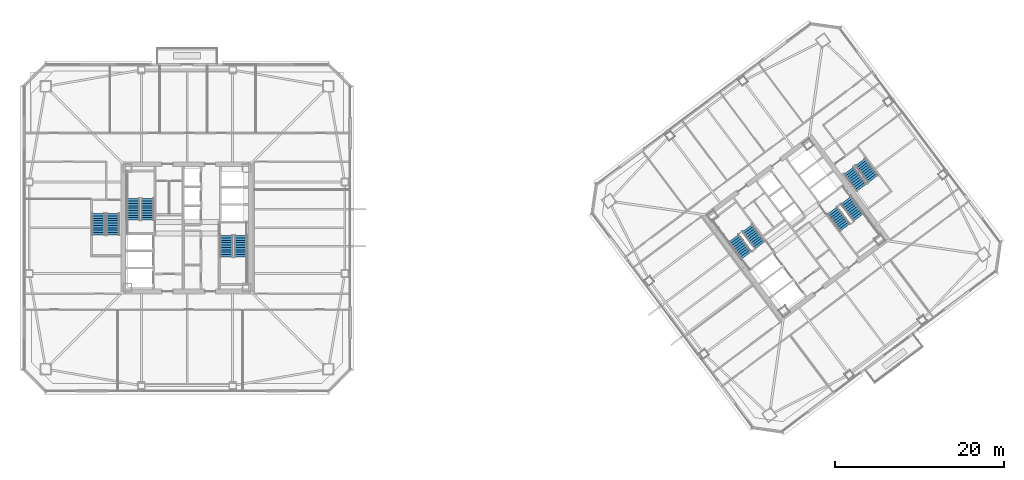
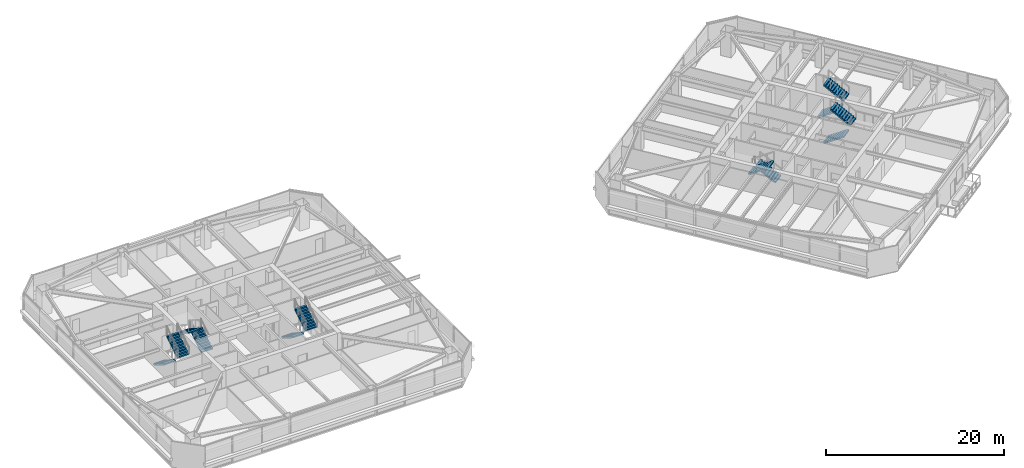
# One storey, part 41 of 46: 12 stair flights, 6 elements without a shape of their own.
"""IFC4 building model written with IfcOpenShell, lengths in metres."""

from ifc_helpers import new_model, si_unit, direction, frame, origin, place, context, subcontext, project, spatial, polyline, outline, extrude, material, type_object, element, aggregate, save


model = new_model("IFC4")

# Units and contexts
model_context = context("Model", 3, precision=1e-05, world=origin(), true_north=direction((0.0, 1.0)))
body_context = subcontext(model_context, "Body", "Model", "MODEL_VIEW")
ifc_project = project(units=[si_unit("LENGTHUNIT", "METRE"), si_unit("AREAUNIT", "SQUARE_METRE"), si_unit("VOLUMEUNIT", "CUBIC_METRE"), si_unit("PLANEANGLEUNIT", "RADIAN"), si_unit("MASSUNIT", "GRAM", prefix="KILO")], contexts=[model_context])

# Site, building, storey
site_placement = place(None, origin())
site = spatial("IfcSite", under=ifc_project, at=site_placement, CompositionType="ELEMENT")
building_placement = place(site_placement, origin())
building = spatial("IfcBuilding", under=site, at=building_placement, Name="Tashvorn Skyway Center", CompositionType="ELEMENT")
storey_placement = place(building_placement, frame((0.0, 0.0, 139.25)))
storey = spatial("IfcBuildingStorey", under=building, at=storey_placement, Name="L37", CompositionType="ELEMENT", Elevation=139.25)

# Stair, stair flights
ifc_material = material(Name="Concrete C40/50", Category="concrete")
stair_type = type_object("IfcStairType", Name="STAIR-CORE-1500", PredefinedType="HALF_TURN_STAIR", material=ifc_material)
stair_1_placement = place(storey_placement, origin())
stair_1 = element("IfcStair", 1, at=stair_1_placement, inside=storey, type_object=stair_type, Name="L37 Tower 1 Exit Stair 1", PredefinedType="HALF_TURN_STAIR")
stair_flight_type = type_object("IfcStairFlightType", Name="SFLIGHT-1500", PredefinedType="STRAIGHT", material=ifc_material)
stair_flight_1_placement = place(storey_placement, frame((37.35009765625, 32.919921875, 0.0), z_axis=(0.0, 0.0, 1.0), x_axis=(0.0, 1.0, 0.0)))
stair_flight_1 = element("IfcStairFlight", 2, at=stair_flight_1_placement, type_object=stair_flight_type, Name="ST-T1-1 flight 1", NumberOfRisers=10, NumberOfTreads=9, PredefinedType="STRAIGHT", RiserHeight=0.1775, TreadLength=0.28, context=body_context, shape_type="SweptSolid", body=[
    extrude(outline(polyline([(0.0, 0.0), (0.0, 0.177490234375), (0.280029296875, 0.177490234375), (0.280029296875, 0.35498046875), (0.56005859375, 0.35498046875), (0.56005859375, 0.532470703125), (0.840087890625, 0.532470703125), (0.840087890625, 0.7099609375), (1.1201171875, 0.7099609375), (1.1201171875, 0.887451171875), (1.39990234375, 0.887451171875), (1.39990234375, 1.06494140625), (1.679931640625, 1.06494140625), (1.679931640625, 1.242431640625), (1.9599609375, 1.242431640625), (1.9599609375, 1.419921875), (2.239990234375, 1.419921875), (2.239990234375, 1.597412109375), (2.52001953125, 1.597412109375), (2.52001953125, 1.77490234375), (2.52001953125, 1.419921875), (0.280029296875, 0.0), (0.0, 0.0)])), frame((0.0, 0.75, 0.0), z_axis=(0.0, -1.0, 0.0), x_axis=(1.0, 0.0, 0.0)), (0.0, 0.0, 1.0), 1.5),
])
stair_flight_2_placement = place(storey_placement, frame((35.64990234375, 35.43994140625, 1.77490234375), z_axis=(0.0, 0.0, 1.0), x_axis=(0.0, -1.0, 0.0)))
stair_flight_2 = element("IfcStairFlight", 3, at=stair_flight_2_placement, type_object=stair_flight_type, Name="ST-T1-1 flight 2", NumberOfRisers=10, NumberOfTreads=9, PredefinedType="STRAIGHT", RiserHeight=0.1775, TreadLength=0.28, context=body_context, shape_type="SweptSolid", body=[
    extrude(outline(polyline([(0.0, 0.0), (0.0, 0.177490234375), (0.280029296875, 0.177490234375), (0.280029296875, 0.35498046875), (0.56005859375, 0.35498046875), (0.56005859375, 0.532470703125), (0.840087890625, 0.532470703125), (0.840087890625, 0.7099609375), (1.1201171875, 0.7099609375), (1.1201171875, 0.887451171875), (1.39990234375, 0.887451171875), (1.39990234375, 1.06494140625), (1.679931640625, 1.06494140625), (1.679931640625, 1.242431640625), (1.9599609375, 1.242431640625), (1.9599609375, 1.419921875), (2.239990234375, 1.419921875), (2.239990234375, 1.597412109375), (2.52001953125, 1.597412109375), (2.52001953125, 1.77490234375), (2.52001953125, 1.419921875), (0.280029296875, 0.0), (0.0, 0.0)])), frame((0.0, 0.75, 0.0), z_axis=(0.0, -1.0, 0.0), x_axis=(1.0, 0.0, 0.0)), (0.0, 0.0, 1.0), 1.5),
])
aggregate(stair_1, [stair_flight_1, stair_flight_2])

stair_2_placement = place(storey_placement, origin())
stair_2 = element("IfcStair", 4, at=stair_2_placement, inside=storey, type_object=stair_type, Name="L37 Tower 1 Exit Stair 2", PredefinedType="HALF_TURN_STAIR")
stair_flight_3_placement = place(storey_placement, frame((46.64990234375, 31.080078125, 0.0), z_axis=(0.0, 0.0, 1.0), x_axis=(0.0, -1.0, 0.0)))
stair_flight_3 = element("IfcStairFlight", 5, at=stair_flight_3_placement, type_object=stair_flight_type, Name="ST-T1-2 flight 1", NumberOfRisers=10, NumberOfTreads=9, PredefinedType="STRAIGHT", RiserHeight=0.1775, TreadLength=0.28, context=body_context, shape_type="SweptSolid", body=[
    extrude(outline(polyline([(0.0, 0.0), (0.0, 0.177490234375), (0.280029296875, 0.177490234375), (0.280029296875, 0.35498046875), (0.56005859375, 0.35498046875), (0.56005859375, 0.532470703125), (0.840087890625, 0.532470703125), (0.840087890625, 0.7099609375), (1.1201171875, 0.7099609375), (1.1201171875, 0.887451171875), (1.39990234375, 0.887451171875), (1.39990234375, 1.06494140625), (1.679931640625, 1.06494140625), (1.679931640625, 1.242431640625), (1.9599609375, 1.242431640625), (1.9599609375, 1.419921875), (2.239990234375, 1.419921875), (2.239990234375, 1.597412109375), (2.52001953125, 1.597412109375), (2.52001953125, 1.77490234375), (2.52001953125, 1.419921875), (0.280029296875, 0.0), (0.0, 0.0)])), frame((0.0, 0.75, 0.0), z_axis=(0.0, -1.0, 0.0), x_axis=(1.0, 0.0, 0.0)), (0.0, 0.0, 1.0), 1.5),
])
stair_flight_4_placement = place(storey_placement, frame((48.35009765625, 28.56005859375, 1.77490234375), z_axis=(0.0, 0.0, 1.0), x_axis=(0.0, 1.0, 0.0)))
stair_flight_4 = element("IfcStairFlight", 6, at=stair_flight_4_placement, type_object=stair_flight_type, Name="ST-T1-2 flight 2", NumberOfRisers=10, NumberOfTreads=9, PredefinedType="STRAIGHT", RiserHeight=0.1775, TreadLength=0.28, context=body_context, shape_type="SweptSolid", body=[
    extrude(outline(polyline([(0.0, 0.0), (0.0, 0.177490234375), (0.280029296875, 0.177490234375), (0.280029296875, 0.35498046875), (0.56005859375, 0.35498046875), (0.56005859375, 0.532470703125), (0.840087890625, 0.532470703125), (0.840087890625, 0.7099609375), (1.1201171875, 0.7099609375), (1.1201171875, 0.887451171875), (1.39990234375, 0.887451171875), (1.39990234375, 1.06494140625), (1.679931640625, 1.06494140625), (1.679931640625, 1.242431640625), (1.9599609375, 1.242431640625), (1.9599609375, 1.419921875), (2.239990234375, 1.419921875), (2.239990234375, 1.597412109375), (2.52001953125, 1.597412109375), (2.52001953125, 1.77490234375), (2.52001953125, 1.419921875), (0.280029296875, 0.0), (0.0, 0.0)])), frame((0.0, 0.75, 0.0), z_axis=(0.0, -1.0, 0.0), x_axis=(1.0, 0.0, 0.0)), (0.0, 0.0, 1.0), 1.5),
])
aggregate(stair_2, [stair_flight_3, stair_flight_4])

stair_3_placement = place(storey_placement, origin())
stair_3 = element("IfcStair", 7, at=stair_3_placement, inside=storey, type_object=stair_type, Name="L37 Tower 2 Exit Stair 1", PredefinedType="HALF_TURN_STAIR")
stair_flight_5_placement = place(storey_placement, frame((109.72802734375, 29.946044921875, 0.0), z_axis=(0.0, 0.0, 1.0), x_axis=(-0.600000004945, 0.799999996291, 0.0)))
stair_flight_5 = element("IfcStairFlight", 8, at=stair_flight_5_placement, type_object=stair_flight_type, Name="ST-T2-1 flight 1", NumberOfRisers=10, NumberOfTreads=9, PredefinedType="STRAIGHT", RiserHeight=0.1775, TreadLength=0.28, context=body_context, shape_type="SweptSolid", body=[
    extrude(outline(polyline([(0.0, 0.0), (0.0, 0.177490234375), (0.280029296875, 0.177490234375), (0.280029296875, 0.35498046875), (0.56005859375, 0.35498046875), (0.56005859375, 0.532470703125), (0.840087890625, 0.532470703125), (0.840087890625, 0.7099609375), (1.1201171875, 0.7099609375), (1.1201171875, 0.887451171875), (1.39990234375, 0.887451171875), (1.39990234375, 1.06494140625), (1.679931640625, 1.06494140625), (1.679931640625, 1.242431640625), (1.9599609375, 1.242431640625), (1.9599609375, 1.419921875), (2.239990234375, 1.419921875), (2.239990234375, 1.597412109375), (2.52001953125, 1.597412109375), (2.52001953125, 1.77490234375), (2.52001953125, 1.419921875), (0.280029296875, 0.0), (0.0, 0.0)])), frame((0.0, 0.75, 0.0), z_axis=(0.0, -1.0, 0.0), x_axis=(1.0, 0.0, 0.0)), (0.0, 0.0, 1.0), 1.5),
])
stair_flight_6_placement = place(storey_placement, frame((106.632080078125, 30.77392578125, 1.77490234375), z_axis=(0.0, 0.0, 1.0), x_axis=(0.600000004945, -0.799999996291, 0.0)))
stair_flight_6 = element("IfcStairFlight", 9, at=stair_flight_6_placement, type_object=stair_flight_type, Name="ST-T2-1 flight 2", NumberOfRisers=10, NumberOfTreads=9, PredefinedType="STRAIGHT", RiserHeight=0.1775, TreadLength=0.28, context=body_context, shape_type="SweptSolid", body=[
    extrude(outline(polyline([(0.0, 0.0), (0.0, 0.177490234375), (0.280029296875, 0.177490234375), (0.280029296875, 0.35498046875), (0.56005859375, 0.35498046875), (0.56005859375, 0.532470703125), (0.840087890625, 0.532470703125), (0.840087890625, 0.7099609375), (1.1201171875, 0.7099609375), (1.1201171875, 0.887451171875), (1.39990234375, 0.887451171875), (1.39990234375, 1.06494140625), (1.679931640625, 1.06494140625), (1.679931640625, 1.242431640625), (1.9599609375, 1.242431640625), (1.9599609375, 1.419921875), (2.239990234375, 1.419921875), (2.239990234375, 1.597412109375), (2.52001953125, 1.597412109375), (2.52001953125, 1.77490234375), (2.52001953125, 1.419921875), (0.280029296875, 0.0), (0.0, 0.0)])), frame((0.0, 0.75, 0.0), z_axis=(0.0, -1.0, 0.0), x_axis=(1.0, 0.0, 0.0)), (0.0, 0.0, 1.0), 1.5),
])
aggregate(stair_3, [stair_flight_5, stair_flight_6])

stair_4_placement = place(storey_placement, origin())
stair_4 = element("IfcStair", 10, at=stair_4_placement, inside=storey, type_object=stair_type, Name="L37 Tower 2 Exit Stair 2", PredefinedType="HALF_TURN_STAIR")
stair_flight_7_placement = place(storey_placement, frame((118.27197265625, 34.053955078125, 0.0), z_axis=(0.0, 0.0, 1.0), x_axis=(0.600000004945, -0.799999996291, 0.0)))
stair_flight_7 = element("IfcStairFlight", 11, at=stair_flight_7_placement, type_object=stair_flight_type, Name="ST-T2-2 flight 1", NumberOfRisers=10, NumberOfTreads=9, PredefinedType="STRAIGHT", RiserHeight=0.1775, TreadLength=0.28, context=body_context, shape_type="SweptSolid", body=[
    extrude(outline(polyline([(0.0, 0.0), (0.0, 0.177490234375), (0.280029296875, 0.177490234375), (0.280029296875, 0.35498046875), (0.56005859375, 0.35498046875), (0.56005859375, 0.532470703125), (0.840087890625, 0.532470703125), (0.840087890625, 0.7099609375), (1.1201171875, 0.7099609375), (1.1201171875, 0.887451171875), (1.39990234375, 0.887451171875), (1.39990234375, 1.06494140625), (1.679931640625, 1.06494140625), (1.679931640625, 1.242431640625), (1.9599609375, 1.242431640625), (1.9599609375, 1.419921875), (2.239990234375, 1.419921875), (2.239990234375, 1.597412109375), (2.52001953125, 1.597412109375), (2.52001953125, 1.77490234375), (2.52001953125, 1.419921875), (0.280029296875, 0.0), (0.0, 0.0)])), frame((0.0, 0.75, 0.0), z_axis=(0.0, -1.0, 0.0), x_axis=(1.0, 0.0, 0.0)), (0.0, 0.0, 1.0), 1.5),
])
stair_flight_8_placement = place(storey_placement, frame((121.367919921875, 33.22607421875, 1.77490234375), z_axis=(0.0, 0.0, 1.0), x_axis=(-0.600000004945, 0.799999996291, 0.0)))
stair_flight_8 = element("IfcStairFlight", 12, at=stair_flight_8_placement, type_object=stair_flight_type, Name="ST-T2-2 flight 2", NumberOfRisers=10, NumberOfTreads=9, PredefinedType="STRAIGHT", RiserHeight=0.1775, TreadLength=0.28, context=body_context, shape_type="SweptSolid", body=[
    extrude(outline(polyline([(0.0, 0.0), (0.0, 0.177490234375), (0.280029296875, 0.177490234375), (0.280029296875, 0.35498046875), (0.56005859375, 0.35498046875), (0.56005859375, 0.532470703125), (0.840087890625, 0.532470703125), (0.840087890625, 0.7099609375), (1.1201171875, 0.7099609375), (1.1201171875, 0.887451171875), (1.39990234375, 0.887451171875), (1.39990234375, 1.06494140625), (1.679931640625, 1.06494140625), (1.679931640625, 1.242431640625), (1.9599609375, 1.242431640625), (1.9599609375, 1.419921875), (2.239990234375, 1.419921875), (2.239990234375, 1.597412109375), (2.52001953125, 1.597412109375), (2.52001953125, 1.77490234375), (2.52001953125, 1.419921875), (0.280029296875, 0.0), (0.0, 0.0)])), frame((0.0, 0.75, 0.0), z_axis=(0.0, -1.0, 0.0), x_axis=(1.0, 0.0, 0.0)), (0.0, 0.0, 1.0), 1.5),
])
aggregate(stair_4, [stair_flight_7, stair_flight_8])

stair_5_placement = place(storey_placement, origin())
stair_5 = element("IfcStair", 13, at=stair_5_placement, inside=storey, type_object=stair_type, Name="L37 Tower 1 Exit Stair 3", PredefinedType="HALF_TURN_STAIR")
stair_flight_9_placement = place(storey_placement, frame((31.550048828125, 33.679931640625, 0.0), z_axis=(0.0, 0.0, 1.0), x_axis=(0.0, -1.0, 0.0)))
stair_flight_9 = element("IfcStairFlight", 14, at=stair_flight_9_placement, type_object=stair_flight_type, Name="ST-T1-3 flight 1", NumberOfRisers=10, NumberOfTreads=9, PredefinedType="STRAIGHT", RiserHeight=0.1775, TreadLength=0.28, context=body_context, shape_type="SweptSolid", body=[
    extrude(outline(polyline([(0.0, 0.0), (0.0, 0.177490234375), (0.280029296875, 0.177490234375), (0.280029296875, 0.35498046875), (0.56005859375, 0.35498046875), (0.56005859375, 0.532470703125), (0.840087890625, 0.532470703125), (0.840087890625, 0.7099609375), (1.1201171875, 0.7099609375), (1.1201171875, 0.887451171875), (1.39990234375, 0.887451171875), (1.39990234375, 1.06494140625), (1.679931640625, 1.06494140625), (1.679931640625, 1.242431640625), (1.9599609375, 1.242431640625), (1.9599609375, 1.419921875), (2.239990234375, 1.419921875), (2.239990234375, 1.597412109375), (2.52001953125, 1.597412109375), (2.52001953125, 1.77490234375), (2.52001953125, 1.419921875), (0.280029296875, 0.0), (0.0, 0.0)])), frame((0.0, 0.75, 0.0), z_axis=(0.0, -1.0, 0.0), x_axis=(1.0, 0.0, 0.0)), (0.0, 0.0, 1.0), 1.5),
])
stair_flight_10_placement = place(storey_placement, frame((33.25, 31.159912109375, 1.77490234375), z_axis=(0.0, 0.0, 1.0), x_axis=(0.0, 1.0, 0.0)))
stair_flight_10 = element("IfcStairFlight", 15, at=stair_flight_10_placement, type_object=stair_flight_type, Name="ST-T1-3 flight 2", NumberOfRisers=10, NumberOfTreads=9, PredefinedType="STRAIGHT", RiserHeight=0.1775, TreadLength=0.28, context=body_context, shape_type="SweptSolid", body=[
    extrude(outline(polyline([(0.0, 0.0), (0.0, 0.177490234375), (0.280029296875, 0.177490234375), (0.280029296875, 0.35498046875), (0.56005859375, 0.35498046875), (0.56005859375, 0.532470703125), (0.840087890625, 0.532470703125), (0.840087890625, 0.7099609375), (1.1201171875, 0.7099609375), (1.1201171875, 0.887451171875), (1.39990234375, 0.887451171875), (1.39990234375, 1.06494140625), (1.679931640625, 1.06494140625), (1.679931640625, 1.242431640625), (1.9599609375, 1.242431640625), (1.9599609375, 1.419921875), (2.239990234375, 1.419921875), (2.239990234375, 1.597412109375), (2.52001953125, 1.597412109375), (2.52001953125, 1.77490234375), (2.52001953125, 1.419921875), (0.280029296875, 0.0), (0.0, 0.0)])), frame((0.0, 0.75, 0.0), z_axis=(0.0, -1.0, 0.0), x_axis=(1.0, 0.0, 0.0)), (0.0, 0.0, 1.0), 1.5),
])
aggregate(stair_5, [stair_flight_9, stair_flight_10])

stair_6_placement = place(storey_placement, origin())
stair_6 = element("IfcStair", 16, at=stair_6_placement, inside=storey, type_object=stair_type, Name="L37 Tower 2 Exit Stair 3", PredefinedType="HALF_TURN_STAIR")
stair_flight_11_placement = place(storey_placement, frame((120.216064453125, 38.761962890625, 0.0), z_axis=(0.0, 0.0, 1.0), x_axis=(0.600000004945, -0.799999996291, 0.0)))
stair_flight_11 = element("IfcStairFlight", 17, at=stair_flight_11_placement, type_object=stair_flight_type, Name="ST-T2-3 flight 1", NumberOfRisers=10, NumberOfTreads=9, PredefinedType="STRAIGHT", RiserHeight=0.1775, TreadLength=0.28, context=body_context, shape_type="SweptSolid", body=[
    extrude(outline(polyline([(0.0, 0.0), (0.0, 0.177490234375), (0.280029296875, 0.177490234375), (0.280029296875, 0.35498046875), (0.56005859375, 0.35498046875), (0.56005859375, 0.532470703125), (0.840087890625, 0.532470703125), (0.840087890625, 0.7099609375), (1.1201171875, 0.7099609375), (1.1201171875, 0.887451171875), (1.39990234375, 0.887451171875), (1.39990234375, 1.06494140625), (1.679931640625, 1.06494140625), (1.679931640625, 1.242431640625), (1.9599609375, 1.242431640625), (1.9599609375, 1.419921875), (2.239990234375, 1.419921875), (2.239990234375, 1.597412109375), (2.52001953125, 1.597412109375), (2.52001953125, 1.77490234375), (2.52001953125, 1.419921875), (0.280029296875, 0.0), (0.0, 0.0)])), frame((0.0, 0.75, 0.0), z_axis=(0.0, -1.0, 0.0), x_axis=(1.0, 0.0, 0.0)), (0.0, 0.0, 1.0), 1.5),
])
stair_flight_12_placement = place(storey_placement, frame((123.087890625, 37.76611328125, 1.77490234375), z_axis=(0.0, 0.0, 1.0), x_axis=(-0.600000004945, 0.799999996291, 0.0)))
stair_flight_12 = element("IfcStairFlight", 18, at=stair_flight_12_placement, type_object=stair_flight_type, Name="ST-T2-3 flight 2", NumberOfRisers=10, NumberOfTreads=9, PredefinedType="STRAIGHT", RiserHeight=0.1775, TreadLength=0.28, context=body_context, shape_type="SweptSolid", body=[
    extrude(outline(polyline([(0.0, 0.0), (0.0, 0.177490234375), (0.280029296875, 0.177490234375), (0.280029296875, 0.35498046875), (0.56005859375, 0.35498046875), (0.56005859375, 0.532470703125), (0.840087890625, 0.532470703125), (0.840087890625, 0.7099609375), (1.1201171875, 0.7099609375), (1.1201171875, 0.887451171875), (1.39990234375, 0.887451171875), (1.39990234375, 1.06494140625), (1.679931640625, 1.06494140625), (1.679931640625, 1.242431640625), (1.9599609375, 1.242431640625), (1.9599609375, 1.419921875), (2.239990234375, 1.419921875), (2.239990234375, 1.597412109375), (2.52001953125, 1.597412109375), (2.52001953125, 1.77490234375), (2.52001953125, 1.419921875), (0.280029296875, 0.0), (0.0, 0.0)])), frame((0.0, 0.75, 0.0), z_axis=(0.0, -1.0, 0.0), x_axis=(1.0, 0.0, 0.0)), (0.0, 0.0, 1.0), 1.5),
])
aggregate(stair_6, [stair_flight_11, stair_flight_12])

save(model, "model.ifc")
